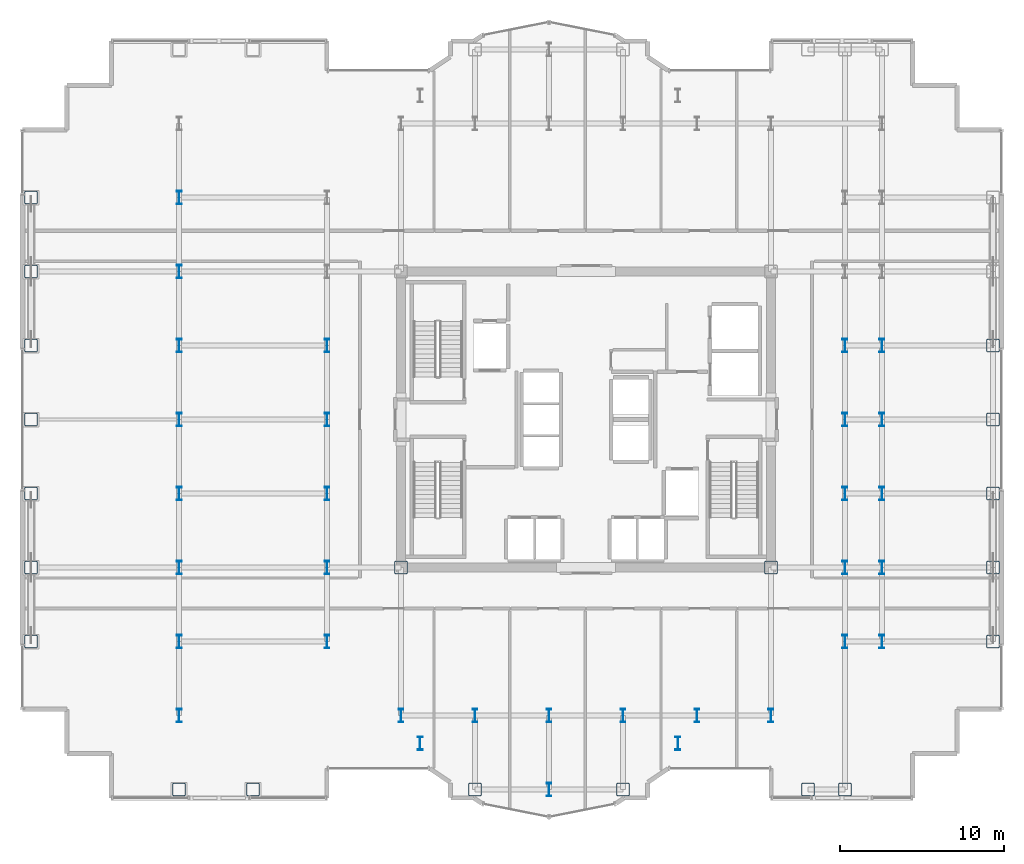
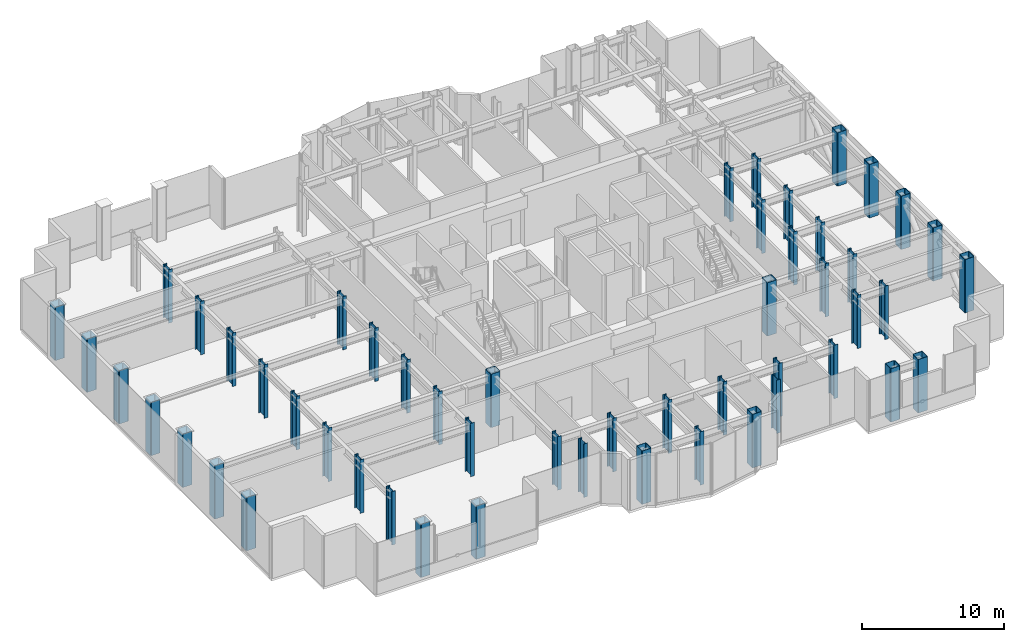
# One storey, part 1 of 26: 52 columns.
"""IFC4 building model written with IfcOpenShell, lengths in metres."""

from ifc_helpers import new_model, si_unit, direction, frame, origin, origin_2d, place, context, subcontext, project, spatial, hollow_rectangle, i_section, extrude, source, transform, mapped, material, material_profile, profile_set, type_object, element, save


model = new_model("IFC4")

# Units and contexts
model_context = context("Model", 3, precision=1e-05, world=origin(), true_north=direction((0.0, 1.0)))
body_context = subcontext(model_context, "Body", "Model", "MODEL_VIEW")
ifc_project = project(units=[si_unit("LENGTHUNIT", "METRE"), si_unit("AREAUNIT", "SQUARE_METRE"), si_unit("VOLUMEUNIT", "CUBIC_METRE"), si_unit("PLANEANGLEUNIT", "RADIAN"), si_unit("MASSUNIT", "GRAM", prefix="KILO")], contexts=[model_context])

# Site, building, storey
site_placement = place(None, origin())
site = spatial("IfcSite", under=ifc_project, at=site_placement, CompositionType="ELEMENT")
building_placement = place(site_placement, origin())
building = spatial("IfcBuilding", under=site, at=building_placement, Name="Nefas-Gora Pilgrimage Tower", CompositionType="ELEMENT")
storey_placement = place(building_placement, frame((0.0, 0.0, 202.0)))
storey = spatial("IfcBuildingStorey", under=building, at=storey_placement, Name="L50", CompositionType="ELEMENT", Elevation=202.0)

# Columns
ifc_material = material(Name="Steel S460", Category="steel")
ifc_material_profile_1 = material_profile(ifc_material, hollow_rectangle(XDim=0.800048828125, YDim=0.800048828125, WallThickness=0.0400390625, InnerFilletRadius=0.0400390625, OuterFilletRadius=0.080078125, at=origin_2d()), Name="BOX 800x800x40")
ifc_profile_set_1 = profile_set([ifc_material_profile_1], Name="Steel S460")
column_type_1 = type_object("IfcColumnType", Name="COL-TUBE-800", PredefinedType="COLUMN", material=ifc_profile_set_1)
shared_shape_1 = source(origin(), body_context, "Body", "SweptSolid", [
    extrude(hollow_rectangle(XDim=0.800048828125, YDim=0.800048828125, WallThickness=0.0400390625, InnerFilletRadius=0.0400390625, OuterFilletRadius=0.080078125, at=origin_2d()), origin(), (0.0, 0.0, 1.0), 4.60009765625),
])
for number, where, z_axis, x_axis, name in (
    (1, (-33.75, -13.5, 0.0), (0.0, 0.0, 1.0), (1.0, 0.0, 0.0), "L50 Tower Column C-Z2.1"),
    (2, (-33.75, -9.0, 0.0), (0.0, 0.0, 1.0), (1.0, 0.0, 0.0), "L50 Tower Column C-Z2.2"),
    (3, (-33.75, -4.5, 0.0), (0.0, 0.0, 1.0), (1.0, 0.0, 0.0), "L50 Tower Column C-Z2.3"),
    (4, (-33.75, 0.0, 0.0), (0.0, 0.0, 1.0), (1.0, 0.0, 0.0), "L50 Tower Column C-Z2.4"),
    (5, (-33.75, 4.5, 0.0), (0.0, 0.0, 1.0), (1.0, 0.0, 0.0), "L50 Tower Column C-Z2.5"),
    (6, (-33.75, 9.0, 0.0), (0.0, 0.0, 1.0), (1.0, 0.0, 0.0), "L50 Tower Column C-Z2.6"),
    (7, (-33.75, 13.5, 0.0), (0.0, 0.0, 1.0), (1.0, 0.0, 0.0), "L50 Tower Column C-Z2.7"),
    (8, (-24.75, -22.5, 0.0), (0.0, 0.0, 1.0), (1.0, 0.0, 0.0), "L50 Tower Column C-Z2.8"),
    (9, (-20.25, -22.5, 0.0), (0.0, 0.0, 1.0), (1.0, 0.0, 0.0), "L50 Tower Column C-Z2.19"),
    (10, (-6.75, -22.5, 0.0), (0.0, 0.0, 1.0), (1.0, 0.0, 0.0), "L50 Tower Column C-Z2.34"),
    (11, (2.25, -22.5, 0.0), (0.0, 0.0, 1.0), (1.0, 0.0, 0.0), "L50 Tower Column C-Z2.42"),
    (12, (13.5, -22.5, 0.0), (0.0, 0.0, 1.0), (1.0, 0.0, 0.0), "L50 Tower Column C-Z2.54"),
    (13, (15.75, -22.5, 0.0), (0.0, 0.0, 1.0), (1.0, 0.0, 0.0), "L50 Tower Column C-Z2.56"),
    (14, (24.75, -13.5, 0.0), (0.0, 0.0, 1.0), (1.0, 0.0, 0.0), "L50 Tower Column C-Z2.74"),
    (15, (24.75, -9.0, 0.0), (0.0, 0.0, 1.0), (1.0, 0.0, 0.0), "L50 Tower Column C-Z2.75"),
    (16, (24.75, -4.5, 0.0), (0.0, 0.0, 1.0), (1.0, 0.0, 0.0), "L50 Tower Column C-Z2.76"),
    (17, (24.75, 0.0, 0.0), (0.0, 0.0, 1.0), (1.0, 0.0, 0.0), "L50 Tower Column C-Z2.77"),
    (18, (24.75, 4.5, 0.0), (0.0, 0.0, 1.0), (1.0, 0.0, 0.0), "L50 Tower Column C-Z2.78"),
):
    element("IfcColumn", number, at=place(storey_placement, frame(where, z_axis=z_axis, x_axis=x_axis)), inside=storey, type_object=column_type_1, Name=name, PredefinedType="COLUMN", context=body_context, shape_type="MappedRepresentation", body=[
        mapped(shared_shape_1, transform((0.0, 0.0, 0.0), x_axis=(1.0, 0.0, 0.0), y_axis=(0.0, 1.0, 0.0), z_axis=(0.0, 0.0, 1.0), scale=1.0)),
    ])
ifc_material_profile_2 = material_profile(ifc_material, i_section(OverallWidth=0.302978515625, OverallDepth=0.81396484375, WebThickness=0.02099609375, FlangeThickness=0.0400390625, FilletRadius=0.030029296875, at=origin_2d()), Name="HEM 800")
ifc_profile_set_2 = profile_set([ifc_material_profile_2], Name="Steel S460")
column_type_2 = type_object("IfcColumnType", Name="COL-WEB-HEM800", PredefinedType="COLUMN", material=ifc_profile_set_2)
shared_shape_2 = source(origin(), body_context, "Body", "SweptSolid", [
    extrude(i_section(OverallWidth=0.302978515625, OverallDepth=0.81396484375, WebThickness=0.02099609375, FlangeThickness=0.0400390625, FilletRadius=0.030029296875, at=origin_2d()), origin(), (0.0, 0.0, 1.0), 4.60009765625),
])
for number, where, z_axis, x_axis, name in (
    (19, (-24.75, -18.0, 0.0), (0.0, 0.0, 1.0), (1.0, 0.0, 0.0), "L50 Tower Column CW-02.9"),
    (20, (-24.75, -13.5, 0.0), (0.0, 0.0, 1.0), (1.0, 0.0, 0.0), "L50 Tower Column CW-02.10"),
    (21, (-24.75, -9.0, 0.0), (0.0, 0.0, 1.0), (1.0, 0.0, 0.0), "L50 Tower Column CW-02.11"),
    (22, (-24.75, -4.5, 0.0), (0.0, 0.0, 1.0), (1.0, 0.0, 0.0), "L50 Tower Column CW-02.12"),
    (23, (-24.75, 0.0, 0.0), (0.0, 0.0, 1.0), (1.0, 0.0, 0.0), "L50 Tower Column CW-02.13"),
    (24, (-24.75, 4.5, 0.0), (0.0, 0.0, 1.0), (1.0, 0.0, 0.0), "L50 Tower Column CW-02.14"),
    (25, (-24.75, 9.0, 0.0), (0.0, 0.0, 1.0), (1.0, 0.0, 0.0), "L50 Tower Column CW-02.15"),
    (26, (-24.75, 13.5, 0.0), (0.0, 0.0, 1.0), (1.0, 0.0, 0.0), "L50 Tower Column CW-02.16"),
    (27, (-15.75, -13.5, 0.0), (0.0, 0.0, 1.0), (1.0, 0.0, 0.0), "L50 Tower Column CW-02.21"),
    (28, (-15.75, -9.0, 0.0), (0.0, 0.0, 1.0), (1.0, 0.0, 0.0), "L50 Tower Column CW-02.22"),
    (29, (-15.75, -4.5, 0.0), (0.0, 0.0, 1.0), (1.0, 0.0, 0.0), "L50 Tower Column CW-02.23"),
    (30, (-15.75, 0.0, 0.0), (0.0, 0.0, 1.0), (1.0, 0.0, 0.0), "L50 Tower Column CW-02.24"),
    (31, (-15.75, 4.5, 0.0), (0.0, 0.0, 1.0), (1.0, 0.0, 0.0), "L50 Tower Column CW-02.25"),
    (32, (-11.25, -18.0, 0.0), (0.0, 0.0, 1.0), (1.0, 0.0, 0.0), "L50 Tower Column CW-02.28"),
    (33, (-10.091064453125, -19.696044921875, 0.0), (0.0, 0.0, 1.0), (1.0, 0.0, 0.0), "L50 Tower Column CW-02.32"),
    (34, (-6.75, -18.0, 0.0), (0.0, 0.0, 1.0), (1.0, 0.0, 0.0), "L50 Tower Column CW-02.35"),
    (35, (-2.25, -22.5, 0.0), (0.0, 0.0, 1.0), (1.0, 0.0, 0.0), "L50 Tower Column CW-02.38"),
    (36, (-2.25, -18.0, 0.0), (0.0, 0.0, 1.0), (1.0, 0.0, 0.0), "L50 Tower Column CW-02.39"),
    (37, (2.25, -18.0, 0.0), (0.0, 0.0, 1.0), (1.0, 0.0, 0.0), "L50 Tower Column CW-02.43"),
    (38, (5.591064453125, -19.696044921875, 0.0), (0.0, 0.0, 1.0), (1.0, 0.0, 0.0), "L50 Tower Column CW-02.46"),
    (39, (6.75, -18.0, 0.0), (0.0, 0.0, 1.0), (1.0, 0.0, 0.0), "L50 Tower Column CW-02.48"),
    (40, (11.25, -18.0, 0.0), (0.0, 0.0, 1.0), (1.0, 0.0, 0.0), "L50 Tower Column CW-02.50"),
    (41, (15.75, -13.5, 0.0), (0.0, 0.0, 1.0), (1.0, 0.0, 0.0), "L50 Tower Column CW-02.57"),
    (42, (15.75, -9.0, 0.0), (0.0, 0.0, 1.0), (1.0, 0.0, 0.0), "L50 Tower Column CW-02.58"),
    (43, (15.75, -4.5, 0.0), (0.0, 0.0, 1.0), (1.0, 0.0, 0.0), "L50 Tower Column CW-02.59"),
    (44, (15.75, 0.0, 0.0), (0.0, 0.0, 1.0), (1.0, 0.0, 0.0), "L50 Tower Column CW-02.60"),
    (45, (15.75, 4.5, 0.0), (0.0, 0.0, 1.0), (1.0, 0.0, 0.0), "L50 Tower Column CW-02.61"),
    (46, (18.0, -13.5, 0.0), (0.0, 0.0, 1.0), (1.0, 0.0, 0.0), "L50 Tower Column CW-02.65"),
    (47, (18.0, -9.0, 0.0), (0.0, 0.0, 1.0), (1.0, 0.0, 0.0), "L50 Tower Column CW-02.66"),
    (48, (18.0, -4.5, 0.0), (0.0, 0.0, 1.0), (1.0, 0.0, 0.0), "L50 Tower Column CW-02.67"),
    (49, (18.0, 0.0, 0.0), (0.0, 0.0, 1.0), (1.0, 0.0, 0.0), "L50 Tower Column CW-02.68"),
    (50, (18.0, 4.5, 0.0), (0.0, 0.0, 1.0), (1.0, 0.0, 0.0), "L50 Tower Column CW-02.69"),
):
    element("IfcColumn", number, at=place(storey_placement, frame(where, z_axis=z_axis, x_axis=x_axis)), inside=storey, type_object=column_type_2, Name=name, PredefinedType="COLUMN", context=body_context, shape_type="MappedRepresentation", body=[
        mapped(shared_shape_2, transform((0.0, 0.0, 0.0), x_axis=(1.0, 0.0, 0.0), y_axis=(0.0, 1.0, 0.0), z_axis=(0.0, 0.0, 1.0), scale=1.0)),
    ])
ifc_material_profile_3 = material_profile(ifc_material, hollow_rectangle(XDim=0.800048828125, YDim=0.800048828125, WallThickness=0.0400390625, InnerFilletRadius=0.0400390625, OuterFilletRadius=0.080078125, at=origin_2d()), Name="BOX 800x800x40")
ifc_profile_set_3 = profile_set([ifc_material_profile_3], Name="Steel S460")
column_type_3 = type_object("IfcColumnType", Name="COL-CORE-800", PredefinedType="COLUMN", material=ifc_profile_set_3)
shared_shape_3 = source(origin(), body_context, "Body", "SweptSolid", [
    extrude(hollow_rectangle(XDim=0.800048828125, YDim=0.800048828125, WallThickness=0.0400390625, InnerFilletRadius=0.0400390625, OuterFilletRadius=0.080078125, at=origin_2d()), origin(), (0.0, 0.0, 1.0), 4.60009765625),
])
for number, where, z_axis, x_axis, name in (
    (51, (-11.25, -9.0, 0.0), (0.0, 0.0, 1.0), (1.0, 0.0, 0.0), "L50 Tower Column CC-Z2.29"),
    (52, (11.25, -9.0, 0.0), (0.0, 0.0, 1.0), (1.0, 0.0, 0.0), "L50 Tower Column CC-Z2.51"),
):
    element("IfcColumn", number, at=place(storey_placement, frame(where, z_axis=z_axis, x_axis=x_axis)), inside=storey, type_object=column_type_3, Name=name, PredefinedType="COLUMN", context=body_context, shape_type="MappedRepresentation", body=[
        mapped(shared_shape_3, transform((0.0, 0.0, 0.0), x_axis=(1.0, 0.0, 0.0), y_axis=(0.0, 1.0, 0.0), z_axis=(0.0, 0.0, 1.0), scale=1.0)),
    ])

save(model, "model.ifc")
